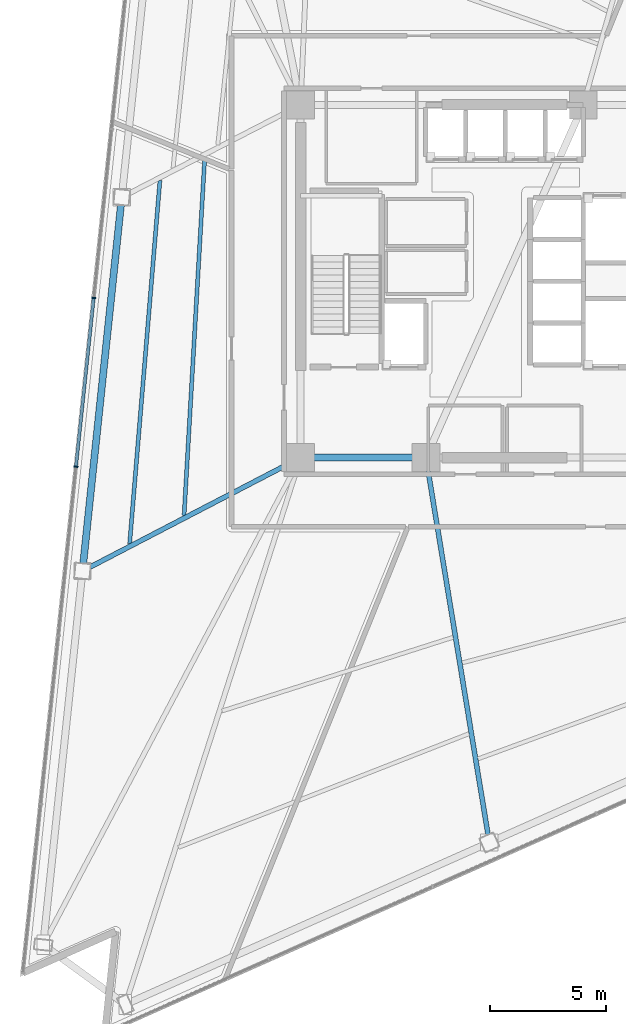
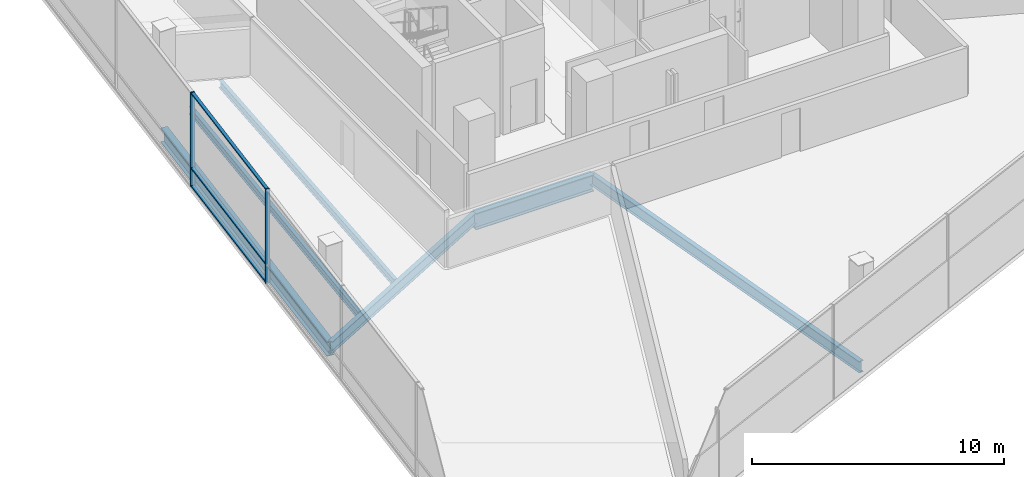
# One storey, part 4 of 18: 6 beams, 5 members, 1 element without a shape of its own.
"""IFC4 building model written with IfcOpenShell, lengths in metres."""

import ifcopenshell
import ifcopenshell.guid

model = None  # the IFC model being written
_history = None  # IfcOwnerHistory: only IFC2X3 demands one
_inside = {}  # id of a spatial element -> (the spatial element, [elements in it])
_under = {}  # id of a project, library or spatial element -> (it, [spatial elements below it])
_declared = {}  # id of a project -> (the project, [libraries it declares])
_typed = {}  # id of a type object -> (the type object, [elements of that type])
_made_of = {}  # id of a material, layer set ... -> (it, [elements and type objects made of it])


def new_model(schema):
    """Start an empty IFC model of exactly this schema.

    Asked for "IFC4X3", IfcOpenShell would pick the latest addendum, in which some entities
    have other attributes; the version numbers below select the first issue.
    IFC2X3 requires an IfcOwnerHistory on every rooted entity: one is made here for all.
    """
    global model, _history
    if schema == "IFC4X3":
        model = ifcopenshell.file(schema_version=(4, 3, 0, 0))
    else:
        model = ifcopenshell.file(schema=schema)
    _inside.clear()
    _under.clear()
    _declared.clear()
    _typed.clear()
    _made_of.clear()
    _history = None
    if model.schema == "IFC2X3":
        org = make("IfcOrganization", Name="unknown")
        user = make(
            "IfcPersonAndOrganization",
            ThePerson=make("IfcPerson", FamilyName="unknown"),
            TheOrganization=org,
        )
        app = make(
            "IfcApplication",
            ApplicationDeveloper=org,
            Version="unknown",
            ApplicationFullName="unknown",
            ApplicationIdentifier="unknown",
        )
        _history = make(
            "IfcOwnerHistory",
            OwningUser=user,
            OwningApplication=app,
            ChangeAction="ADDED",
            CreationDate=0,
        )
    return model


def make(cls, **values):
    """One entity of the class cls with the attributes given. An attribute that is None is left unset."""
    return model.create_entity(
        cls, **{name: value for name, value in values.items() if value is not None}
    )


def rooted(cls, **values):
    """An entity with a GlobalId (a new one), such as an element, a storey or a relation."""
    return make(cls, GlobalId=ifcopenshell.guid.new(), OwnerHistory=_history, **values)


def si_unit(unit_type, name, prefix=None):
    """IfcSIUnit, for example si_unit("LENGTHUNIT", "METRE", prefix="MILLI")."""
    return make("IfcSIUnit", UnitType=unit_type, Prefix=prefix, Name=name)


def assignment(units):
    """IfcUnitAssignment: the units of a project."""
    return None if units is None else make("IfcUnitAssignment", Units=units)


def point(xyz):
    """IfcCartesianPoint."""
    return None if xyz is None else make("IfcCartesianPoint", Coordinates=xyz)


def direction(xyz):
    """IfcDirection."""
    return None if xyz is None else make("IfcDirection", DirectionRatios=xyz)


def frame(location, z_axis=None, x_axis=None):
    """IfcAxis2Placement3D, a coordinate frame: its origin and axes. An axis left out is left unset."""
    return make(
        "IfcAxis2Placement3D",
        Location=point(location),
        Axis=direction(z_axis),
        RefDirection=direction(x_axis),
    )


def frame_2d(location, x_axis=None):
    """IfcAxis2Placement2D, a coordinate frame in the plane: its origin and x axis."""
    return make(
        "IfcAxis2Placement2D", Location=point(location), RefDirection=direction(x_axis)
    )


def origin():
    """The frame at (0, 0, 0) with its axes left unset."""
    return frame((0.0, 0.0, 0.0))


def origin_2d():
    """The frame at (0, 0) in the plane with its x axis left unset."""
    return frame_2d((0.0, 0.0))


def place(relative_to, where):
    """IfcLocalPlacement: puts the frame where relative to a parent placement (None: the world)."""
    return make(
        "IfcLocalPlacement", PlacementRelTo=relative_to, RelativePlacement=where
    )


def context(
    kind, dimensions, precision=None, world=None, true_north=None, identifier=None
):
    """IfcGeometricRepresentationContext, for example the 3D "Model" context."""
    return make(
        "IfcGeometricRepresentationContext",
        ContextIdentifier=identifier,
        ContextType=kind,
        CoordinateSpaceDimension=dimensions,
        Precision=precision,
        WorldCoordinateSystem=world,
        TrueNorth=true_north,
    )


def subcontext(parent, identifier, kind, view, scale=None):
    """IfcGeometricRepresentationSubContext, for example "Body" below "Model"."""
    return make(
        "IfcGeometricRepresentationSubContext",
        ContextIdentifier=identifier,
        ContextType=kind,
        ParentContext=parent,
        TargetScale=scale,
        TargetView=view,
    )


def project(units=None, contexts=None):
    """IfcProject with its units and contexts."""
    return rooted(
        "IfcProject",
        Name="project",
        RepresentationContexts=contexts,
        UnitsInContext=assignment(units),
    )


def spatial(cls, under=None, at=None, **own):
    """A site, building, storey or space (cls), placed at a placement, below another one or the project."""
    s = rooted(cls, ObjectPlacement=at, **own)
    if under is not None:
        _under.setdefault(under.id(), (under, []))[1].append(s)
    return s


def profile(cls, at=None, kind="AREA", **sizes):
    """A parametric profile (cls). Its sizes go by their IFC names, for example OverallWidth=200.0."""
    return make(cls, ProfileType=kind, Position=at, **sizes)


def rectangle(**sizes):
    """IfcRectangleProfileDef."""
    return profile("IfcRectangleProfileDef", **sizes)


def i_section(**sizes):
    """IfcIShapeProfileDef."""
    return profile("IfcIShapeProfileDef", **sizes)


def extrude(swept, where, along, depth):
    """IfcExtrudedAreaSolid: the profile swept, set in the frame where, extruded along a direction by depth."""
    return make(
        "IfcExtrudedAreaSolid",
        SweptArea=swept,
        Position=where,
        ExtrudedDirection=direction(along),
        Depth=depth,
    )


def shape(context_of_items, identifier, shape_type, items):
    """IfcShapeRepresentation: the items that make up one representation, for example the "Body"."""
    return make(
        "IfcShapeRepresentation",
        ContextOfItems=context_of_items,
        RepresentationIdentifier=identifier,
        RepresentationType=shape_type,
        Items=items,
    )


def material(Name=None, Category=None):
    """IfcMaterial."""
    return make("IfcMaterial", Name=Name, Category=Category)


def layer(
    of_material, thickness, ventilated=None, Name=None, Category=None, Priority=None
):
    """IfcMaterialLayer: one layer of a wall or slab, of a material (None: an air gap)."""
    return make(
        "IfcMaterialLayer",
        Material=of_material,
        LayerThickness=thickness,
        IsVentilated=ventilated,
        Name=Name,
        Category=Category,
        Priority=Priority,
    )


def layer_set(layers, Name=None):
    """IfcMaterialLayerSet."""
    return make("IfcMaterialLayerSet", MaterialLayers=layers, LayerSetName=Name)


def material_profile(
    of_material, cross_section, Name=None, Category=None, Priority=None
):
    """IfcMaterialProfile: a cross section and its material."""
    return make(
        "IfcMaterialProfile",
        Name=Name,
        Material=of_material,
        Profile=cross_section,
        Priority=Priority,
        Category=Category,
    )


def profile_set(profiles, Name=None, composite=None):
    """IfcMaterialProfileSet."""
    return make(
        "IfcMaterialProfileSet",
        Name=Name,
        MaterialProfiles=profiles,
        CompositeProfile=composite,
    )


def made_of(thing, what):
    """Note that an element or type object is made of a material, layer set ...; save() writes the relation."""
    if what is not None:
        _made_of.setdefault(what.id(), (what, []))[1].append(thing)
    return thing


def type_object(cls, material=None, **own):
    """A type object (cls), such as IfcWallType, which elements share."""
    return made_of(rooted(cls, **own), material)


def element(
    cls,
    number,
    at=None,
    inside=None,
    cuts=None,
    type_object=None,
    material=None,
    context=None,
    identifier="Body",
    shape_type=None,
    held_by="IfcProductDefinitionShape",
    body=None,
    shapes=None,
    **own,
):
    """One element of the class cls, such as IfcWall. Its Tag is "e" and its number.

    at: its placement. inside: the storey or other place that contains it. cuts: it is an
    opening in that element (IfcRelVoidsElement). A single representation is given by context,
    identifier, shape_type and body (its items); several are given by shapes. held_by: the class
    of the entity that holds the representations. save() writes the other relations.
    """
    e = rooted(cls, Tag="e%d" % number, ObjectPlacement=at, **own)
    if body is not None:
        shapes = [shape(context, identifier, shape_type, body)]
    if shapes is not None:
        e.Representation = make(held_by, Representations=shapes)
    if inside is not None:
        _inside.setdefault(inside.id(), (inside, []))[1].append(e)
    if cuts is not None:
        rooted(
            "IfcRelVoidsElement", RelatingBuildingElement=cuts, RelatedOpeningElement=e
        )
    if type_object is not None:
        _typed.setdefault(type_object.id(), (type_object, []))[1].append(e)
    return made_of(e, material)


def aggregate(whole, parts):
    """IfcRelAggregates: a whole, such as a stair, and the parts it consists of."""
    return rooted("IfcRelAggregates", RelatingObject=whole, RelatedObjects=parts)


def save(model, path):
    """Write the relations noted so far, then the file.

    IfcRelAggregates (storeys below a building ...), IfcRelContainedInSpatialStructure (elements
    in a storey), IfcRelDefinesByType, IfcRelAssociatesMaterial and IfcRelDeclares: one each for
    every whole, place, type object, material and project.
    """
    for whole, parts in _under.values():
        aggregate(whole, parts)
    for where, things in _inside.values():
        rooted(
            "IfcRelContainedInSpatialStructure",
            RelatedElements=things,
            RelatingStructure=where,
        )
    for kind, things in _typed.values():
        rooted("IfcRelDefinesByType", RelatedObjects=things, RelatingType=kind)
    for what, things in _made_of.values():
        rooted("IfcRelAssociatesMaterial", RelatedObjects=things, RelatingMaterial=what)
    for by, libraries in _declared.values():
        rooted("IfcRelDeclares", RelatingContext=by, RelatedDefinitions=libraries)
    model.write(path)


model = new_model("IFC4")

# Units and contexts
model_context = context("Model", 3, precision=1e-05, world=origin(), true_north=direction((0.0, 1.0)))
body_context = subcontext(model_context, "Body", "Model", "MODEL_VIEW")
ifc_project = project(units=[si_unit("LENGTHUNIT", "METRE"), si_unit("AREAUNIT", "SQUARE_METRE"), si_unit("VOLUMEUNIT", "CUBIC_METRE"), si_unit("PLANEANGLEUNIT", "RADIAN"), si_unit("MASSUNIT", "GRAM", prefix="KILO")], contexts=[model_context])

# Site, building, storey
site_placement = place(None, origin())
site = spatial("IfcSite", under=ifc_project, at=site_placement, CompositionType="ELEMENT")
building_placement = place(site_placement, origin())
building = spatial("IfcBuilding", under=site, at=building_placement, Name="Tharavind Bronze Gate", CompositionType="ELEMENT")
storey_placement = place(building_placement, frame((0.0, 0.0, 134.050048828125)))
storey = spatial("IfcBuildingStorey", under=building, at=storey_placement, Name="L34", CompositionType="ELEMENT", Elevation=134.050048828125)

# Curtain wall, members
ifc_material_1 = material(Name="Anodised Bronze Aluminium", Category="aluminium")
ifc_layer = layer(ifc_material_1, 0.219970703125)
ifc_layer_set = layer_set([ifc_layer], Name="Anodised Bronze Aluminium")
curtain_wall_type = type_object("IfcCurtainWallType", Name="UNITISED CURTAIN WALL LOWER OFFICE", PredefinedType="USERDEFINED", material=ifc_layer_set)
curtain_wall_placement = place(storey_placement, origin())
curtain_wall = element("IfcCurtainWall", 1, at=curtain_wall_placement, inside=storey, type_object=curtain_wall_type, Name="L34 unitised curtain wall lower office CW-L34-S1", ObjectType="UNITISED CURTAIN WALL", PredefinedType="USERDEFINED")
member_type_1 = type_object("IfcMemberType", Name="CURTAIN WALL BRONZE MULLION 65X180", PredefinedType="MULLION", material=ifc_material_1)
member_1_placement = place(storey_placement, frame((-17.82080078125, -0.71826171875, 0.0), z_axis=(0.0, 0.0, 1.0), x_axis=(-0.104526727499, -0.994522077803, 0.0)))
member_1 = element("IfcMember", 2, at=member_1_placement, type_object=member_type_1, Name="CW-L34-S1 mullion 4", PredefinedType="MULLION", context=body_context, shape_type="SweptSolid", body=[
    extrude(rectangle(XDim=0.06494140625, YDim=0.179931640625, at=origin_2d()), origin(), (0.0, 0.0, 1.0), 4.56005859375),
])
member_2_placement = place(storey_placement, frame((-18.58544921875, -7.991455078125, 0.0), z_axis=(0.0, 0.0, 1.0), x_axis=(-0.104526727499, -0.994522077803, 0.0)))
member_2 = element("IfcMember", 3, at=member_2_placement, type_object=member_type_1, Name="CW-L34-S1 mullion 5", PredefinedType="MULLION", context=body_context, shape_type="SweptSolid", body=[
    extrude(rectangle(XDim=0.06494140625, YDim=0.179931640625, at=origin_2d()), origin(), (0.0, 0.0, 1.0), 4.56005859375),
])
member_type_2 = type_object("IfcMemberType", Name="CURTAIN WALL BRONZE TRANSOM 65X140", PredefinedType="USERDEFINED", material=ifc_material_1)
member_3_placement = place(storey_placement, frame((-18.203125, -4.354736328125, 0.0), z_axis=(0.0, 0.0, 1.0), x_axis=(-0.104526727499, -0.994522077803, 0.0)))
member_3 = element("IfcMember", 4, at=member_3_placement, type_object=member_type_2, Name="CW-L34-S1 transom TB4", ObjectType="TRANSOM", PredefinedType="USERDEFINED", context=body_context, shape_type="SweptSolid", body=[
    extrude(rectangle(XDim=7.26025390625, YDim=0.139892578125, at=origin_2d()), origin(), (0.0, 0.0, 1.0), 0.06494140625),
])
member_4_placement = place(storey_placement, frame((-18.203125, -4.354736328125, 0.867431640625), z_axis=(0.0, 0.0, 1.0), x_axis=(-0.104526727499, -0.994522077803, 0.0)))
member_4 = element("IfcMember", 5, at=member_4_placement, type_object=member_type_2, Name="CW-L34-S1 transom TS4", ObjectType="TRANSOM", PredefinedType="USERDEFINED", context=body_context, shape_type="SweptSolid", body=[
    extrude(rectangle(XDim=7.26025390625, YDim=0.139892578125, at=origin_2d()), origin(), (0.0, 0.0, 1.0), 0.06494140625),
])
member_5_placement = place(storey_placement, frame((-18.203125, -4.354736328125, 4.494873046875), z_axis=(0.0, 0.0, 1.0), x_axis=(-0.104526727499, -0.994522077803, 0.0)))
member_5 = element("IfcMember", 6, at=member_5_placement, type_object=member_type_2, Name="CW-L34-S1 transom TT4", ObjectType="TRANSOM", PredefinedType="USERDEFINED", context=body_context, shape_type="SweptSolid", body=[
    extrude(rectangle(XDim=7.26025390625, YDim=0.139892578125, at=origin_2d()), origin(), (0.0, 0.0, 1.0), 0.06494140625),
])
aggregate(curtain_wall, [member_1, member_2, member_3, member_4, member_5])

# Beams
ifc_material_2 = material(Name="Steel S355", Category="steel")
ifc_material_profile_1 = material_profile(ifc_material_2, i_section(OverallWidth=0.2099609375, OverallDepth=0.550048828125, WebThickness=0.010986328125, FlangeThickness=0.01708984375, at=origin_2d()), Name="IPE550")
ifc_profile_set_1 = profile_set([ifc_material_profile_1], Name="Steel S355")
beam_type_1 = type_object("IfcBeamType", Name="PRIMARY GIRDER IPE550", PredefinedType="USERDEFINED", material=ifc_profile_set_1)
beam_1_placement = place(storey_placement, frame((-18.303955078125, -12.488037109375, -0.465087890625), z_axis=(0.887300514785, 0.46119171335, 0.0), x_axis=(-0.46119171335, 0.887300514785, 0.0)))
element("IfcBeam", 7, at=beam_1_placement, inside=storey, type_object=beam_type_1, Name="L34 primary girder ipe550 BM-L34-RAD03", ObjectType="GIRDER", PredefinedType="USERDEFINED", context=body_context, shape_type="SweptSolid", body=[
    extrude(i_section(OverallWidth=0.2099609375, OverallDepth=0.550048828125, WebThickness=0.010986328125, FlangeThickness=0.01708984375, at=origin_2d()), origin(), (0.0, 0.0, 1.0), 10.598388671875),
])
beam_2_placement = place(storey_placement, frame((-0.766357421875, -24.18798828125, -0.465087890625), z_axis=(-0.162604251404, 0.986691368882, 0.0), x_axis=(-0.986691368882, -0.162604251404, 0.0)))
element("IfcBeam", 8, at=beam_2_placement, inside=storey, type_object=beam_type_1, Name="L34 primary girder ipe550 BM-L34-RAD06", ObjectType="GIRDER", PredefinedType="USERDEFINED", context=body_context, shape_type="SweptSolid", body=[
    extrude(i_section(OverallWidth=0.2099609375, OverallDepth=0.550048828125, WebThickness=0.010986328125, FlangeThickness=0.01708984375, at=origin_2d()), origin(), (0.0, 0.0, 1.0), 16.8115234375),
])
ifc_material_profile_2 = material_profile(ifc_material_2, i_section(OverallWidth=0.300048828125, OverallDepth=0.699951171875, WebThickness=0.01708984375, FlangeThickness=0.031982421875, at=origin_2d()), Name="HE700B")
ifc_profile_set_2 = profile_set([ifc_material_profile_2], Name="Steel S355")
beam_type_2 = type_object("IfcBeamType", Name="RING GIRDER HE700B", PredefinedType="USERDEFINED", material=ifc_profile_set_2)
beam_3_placement = place(storey_placement, frame((-16.610595703125, 3.62158203125, -0.5400390625), z_axis=(-0.104538854147, -0.994520803188, 0.0), x_axis=(0.994520803188, -0.104538854147, 0.0)))
element("IfcBeam", 9, at=beam_3_placement, inside=storey, type_object=beam_type_2, Name="L34 ring girder he700b BM-L34-PRG02", ObjectType="GIRDER", PredefinedType="USERDEFINED", context=body_context, shape_type="SweptSolid", body=[
    extrude(i_section(OverallWidth=0.300048828125, OverallDepth=0.699951171875, WebThickness=0.01708984375, FlangeThickness=0.031982421875, at=origin_2d()), origin(), (0.0, 0.0, 1.0), 16.198486328125),
])
ifc_material_profile_3 = material_profile(ifc_material_2, i_section(OverallWidth=0.300048828125, OverallDepth=0.800048828125, WebThickness=0.017578125, FlangeThickness=0.032958984375, at=origin_2d()), Name="HE800B")
ifc_profile_set_3 = profile_set([ifc_material_profile_3], Name="Steel S355")
beam_type_3 = type_object("IfcBeamType", Name="RING GIRDER HE800B", PredefinedType="USERDEFINED", material=ifc_profile_set_3)
beam_4_placement = place(storey_placement, frame((-8.89990234375, -7.60009765625, -0.590087890625), z_axis=(1.0, 0.0, 0.0), x_axis=(0.0, 1.0, 0.0)))
element("IfcBeam", 10, at=beam_4_placement, inside=storey, type_object=beam_type_3, Name="L34 ring girder he800b BM-L34-CR1", ObjectType="GIRDER", PredefinedType="USERDEFINED", context=body_context, shape_type="SweptSolid", body=[
    extrude(i_section(OverallWidth=0.300048828125, OverallDepth=0.800048828125, WebThickness=0.017578125, FlangeThickness=0.032958984375, at=origin_2d()), origin(), (0.0, 0.0, 1.0), 5.39990234375),
])
ifc_material_profile_4 = material_profile(ifc_material_2, i_section(OverallWidth=0.169921875, OverallDepth=0.360107421875, WebThickness=0.008056640625, FlangeThickness=0.0126953125, at=origin_2d()), Name="IPE360")
ifc_profile_set_4 = profile_set([ifc_material_profile_4], Name="Steel S355")
beam_type_4 = type_object("IfcBeamType", Name="SECONDARY FLOOR JOIST IPE360", PredefinedType="JOIST", material=ifc_profile_set_4)
beam_5_placement = place(storey_placement, frame((-13.032470703125, 5.345703125, -0.3701171875), z_axis=(-0.057653739609, -0.998336639771, 0.0), x_axis=(0.998336639771, -0.057653739609, 0.0)))
element("IfcBeam", 11, at=beam_5_placement, inside=storey, type_object=beam_type_4, Name="L34 secondary floor joist ipe360 BM-L34-JSTA02", PredefinedType="JOIST", context=body_context, shape_type="SweptSolid", body=[
    extrude(i_section(OverallWidth=0.169921875, OverallDepth=0.360107421875, WebThickness=0.008056640625, FlangeThickness=0.0126953125, at=origin_2d()), origin(), (0.0, 0.0, 1.0), 15.46044921875),
])
beam_6_placement = place(storey_placement, frame((-14.96337890625, 4.349609375, -0.3701171875), z_axis=(-0.083246063349, -0.996529022626, 0.0), x_axis=(0.996529022626, -0.083246063349, 0.0)))
element("IfcBeam", 12, at=beam_6_placement, inside=storey, type_object=beam_type_4, Name="L34 secondary floor joist ipe360 BM-L34-JSTB02", PredefinedType="JOIST", context=body_context, shape_type="SweptSolid", body=[
    extrude(i_section(OverallWidth=0.169921875, OverallDepth=0.360107421875, WebThickness=0.008056640625, FlangeThickness=0.0126953125, at=origin_2d()), origin(), (0.0, 0.0, 1.0), 15.713623046875),
])

save(model, "model.ifc")
